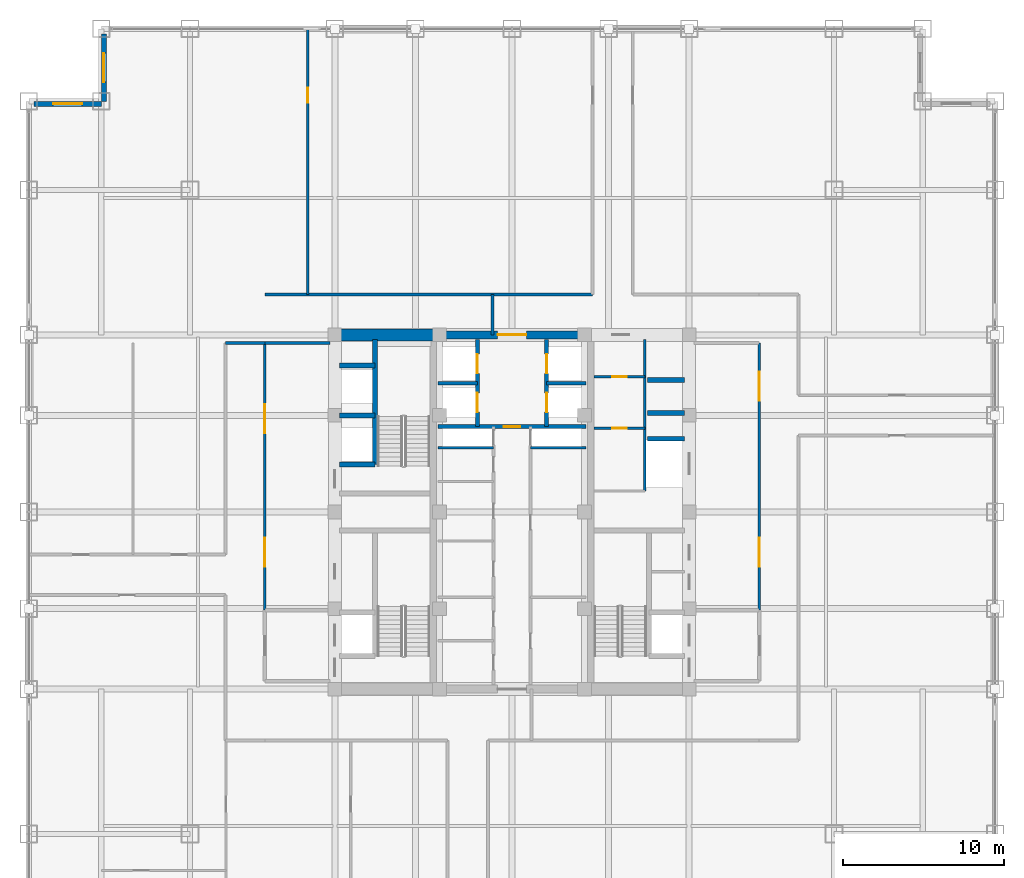
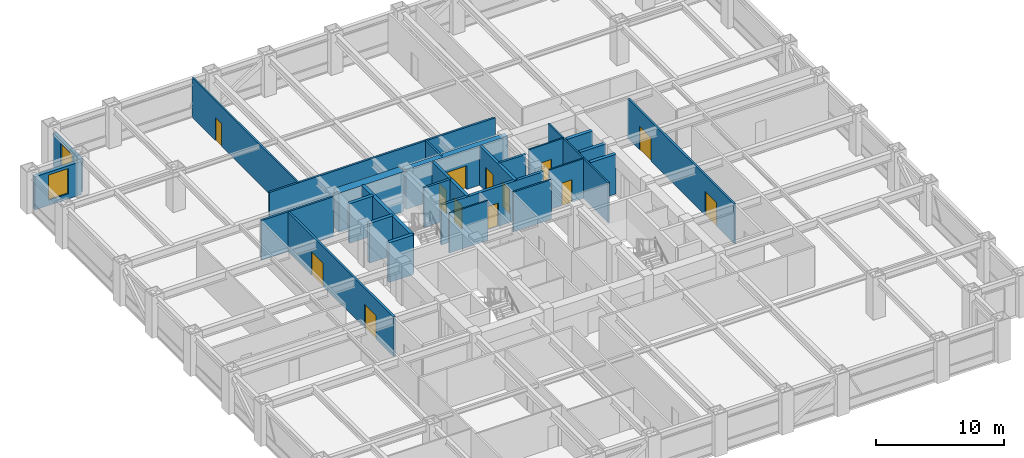
# One storey, part 22 of 24: 28 walls, 13 doors, 2 windows, 15 openings.
"""IFC4 building model written with IfcOpenShell, lengths in metres."""

from ifc_helpers import new_model, si_unit, direction, frame, frame_2d, origin, place, context, subcontext, project, spatial, rectangle, extrude, source, transform, mapped, material, layer, layer_set, type_object, element, fill, save


model = new_model("IFC4")

# Units and contexts
model_context = context("Model", 3, precision=1e-05, world=origin(), true_north=direction((0.0, 1.0)))
body_context = subcontext(model_context, "Body", "Model", "MODEL_VIEW")
ifc_project = project(units=[si_unit("LENGTHUNIT", "METRE"), si_unit("AREAUNIT", "SQUARE_METRE"), si_unit("VOLUMEUNIT", "CUBIC_METRE"), si_unit("PLANEANGLEUNIT", "RADIAN"), si_unit("MASSUNIT", "GRAM", prefix="KILO")], contexts=[model_context])

# Site, building, storey
site_placement = place(None, origin())
site = spatial("IfcSite", under=ifc_project, at=site_placement, CompositionType="ELEMENT")
building_placement = place(site_placement, origin())
building = spatial("IfcBuilding", under=site, at=building_placement, Name="Khorayat Bourse Tower", CompositionType="ELEMENT")
storey_placement = place(building_placement, frame((0.0, 0.0, 175.10009765625)))
storey = spatial("IfcBuildingStorey", under=building, at=storey_placement, Name="L40", CompositionType="ELEMENT", Elevation=175.10009765625)

# Wall
ifc_material_1 = material(Name="Concrete C72/90", Category="concrete")
ifc_layer_1 = layer(ifc_material_1, 0.75)
ifc_layer_set_1 = layer_set([ifc_layer_1], Name="Concrete C72/90")
wall_type_1 = type_object("IfcWallType", Name="WAL-CORE-750", PredefinedType="SHEAR", material=ifc_layer_set_1)
shared_shape_1 = source(origin(), body_context, "Body", "SweptSolid", [
    extrude(rectangle(XDim=5.849853515625, YDim=0.75, at=frame_2d((2.9248046875, 0.0))), origin(), (0.0, 0.0, 1.0), 3.77978515625),
])
wall_1_placement = place(storey_placement, frame((-10.699951171875, 11.0, 0.0), z_axis=(0.0, 0.0, 1.0), x_axis=(1.0, 0.0, 0.0)))
element("IfcWall", 1, at=wall_1_placement, inside=storey, type_object=wall_type_1, Name="L40 Core Shear Wall PIER-WN", PredefinedType="SHEAR", context=body_context, shape_type="MappedRepresentation", body=[
    mapped(shared_shape_1, transform((0.0, 0.0, 0.0), scale=1.0)),
])

# Wall, opening, door
ifc_material_2 = material(Name="Concrete C52/65", Category="concrete")
ifc_layer_2 = layer(ifc_material_2, 0.5)
ifc_layer_set_2 = layer_set([ifc_layer_2], Name="Concrete C52/65")
wall_type_2 = type_object("IfcWallType", Name="WAL-CORE-500", PredefinedType="SHEAR", material=ifc_layer_set_2)
shared_shape_2 = source(origin(), body_context, "Body", "SweptSolid", [
    extrude(rectangle(XDim=9.2001953125, YDim=0.5, at=frame_2d((4.60009765625, 0.0))), origin(), (0.0, 0.0, 1.0), 3.77978515625),
])
wall_2_placement = place(storey_placement, frame((-4.60009765625, 11.0, 0.0), z_axis=(0.0, 0.0, 1.0), x_axis=(1.0, 0.0, 0.0)))
wall_2 = element("IfcWall", 2, at=wall_2_placement, inside=storey, type_object=wall_type_2, Name="L40 Core Shear Wall CORE-N", PredefinedType="SHEAR", context=body_context, shape_type="MappedRepresentation", body=[
    mapped(shared_shape_2, transform((0.0, 0.0, 0.0), scale=1.0)),
])
shared_shape_3 = source(origin(), body_context, "Body", "SweptSolid", [
    extrude(rectangle(XDim=1.800048828125, YDim=2.25, at=frame_2d((0.89990234375, 1.125))), frame((0.0, 0.260009765625, 0.0), z_axis=(0.0, -1.0, 0.0), x_axis=(1.0, 0.0, 0.0)), (0.0, 0.0, 1.0), 0.52001953125),
])
opening_1_placement = place(wall_2_placement, frame((3.699951171875, 0.0, 0.0)))
opening_1 = element("IfcOpeningElement", 3, at=opening_1_placement, cuts=wall_2, Name="Opening DI-03", PredefinedType="OPENING", context=body_context, shape_type="MappedRepresentation", body=[
    mapped(shared_shape_3, transform((0.0, 0.0, 0.0), scale=1.0)),
])
ifc_material_3 = material(Name="Fire-rated hardwood vision-panel double leaf", Category="wood")
door_type_1 = type_object("IfcDoorType", Name="DR-INT-CORR-1800", OperationType="NOTDEFINED", PredefinedType="DOOR", material=ifc_material_3)
shared_shape_4 = source(origin(), body_context, "Body", "SweptSolid", [
    extrude(rectangle(XDim=1.800048828125, YDim=2.25, at=frame_2d((0.89990234375, 1.125))), frame((0.0, 0.02490234375, 0.0), z_axis=(0.0, -1.0, 0.0), x_axis=(1.0, 0.0, 0.0)), (0.0, 0.0, 1.0), 0.050048828125),
])
door_1_placement = place(opening_1_placement, origin())
door_1 = element("IfcDoor", 4, at=door_1_placement, inside=storey, type_object=door_type_1, Name="L40 Mid-Rise Lift Lobby Door", OperationType="SINGLE_SWING_RIGHT", OverallHeight=2.25, OverallWidth=1.800048828125, PredefinedType="DOOR", context=body_context, shape_type="MappedRepresentation", body=[
    mapped(shared_shape_4, transform((0.0, 0.0, 0.0), scale=1.0)),
])
fill(opening_1, door_1)

# Wall, opening, window
ifc_material_4 = material(Name="Precast concrete C45/55", Category="concrete")
ifc_layer_3 = layer(ifc_material_4, 0.320068359375)
ifc_layer_set_3 = layer_set([ifc_layer_3], Name="Precast concrete C45/55")
wall_type_3 = type_object("IfcWallType", Name="WAL-EXT-STONE-320", PredefinedType="STANDARD", material=ifc_layer_set_3)
shared_shape_5 = source(origin(), body_context, "Body", "SweptSolid", [
    extrude(rectangle(XDim=4.179931640625, YDim=0.320068359375, at=frame_2d((2.08984375, 0.0))), origin(), (0.0, 0.0, 1.0), 3.163818359375),
])
wall_3_placement = place(storey_placement, frame((-25.340087890625, 25.5, 0.0), z_axis=(0.0, 0.0, 1.0), x_axis=(0.0, 1.0, 0.0)))
wall_3 = element("IfcWall", 5, at=wall_3_placement, inside=storey, type_object=wall_type_3, Name="L40 Re-Entrant Notch Limestone Wall NW-V", PredefinedType="STANDARD", context=body_context, shape_type="MappedRepresentation", body=[
    mapped(shared_shape_5, transform((0.0, 0.0, 0.0), scale=1.0)),
])
shared_shape_6 = source(origin(), body_context, "Body", "SweptSolid", [
    extrude(rectangle(XDim=1.800048828125, YDim=2.39990234375, at=frame_2d((0.89990234375, 1.199951171875))), frame((0.0, 0.169921875, 0.0), z_axis=(0.0, -1.0, 0.0), x_axis=(1.0, 0.0, 0.0)), (0.0, 0.0, 1.0), 0.340087890625),
])
opening_2_placement = place(wall_3_placement, frame((1.18994140625, 0.0, 0.5)))
opening_2 = element("IfcOpeningElement", 6, at=opening_2_placement, cuts=wall_3, Name="Opening WN-04", PredefinedType="OPENING", context=body_context, shape_type="MappedRepresentation", body=[
    mapped(shared_shape_6, transform((0.0, 0.0, 0.0), scale=1.0)),
])
ifc_material_5 = material(Name="Low-E acoustic laminated double glazing", Category="glass")
window_type = type_object("IfcWindowType", Name="WIN-NOTCH-1800x2400", PartitioningType="SINGLE_PANEL", PredefinedType="WINDOW", material=ifc_material_5)
shared_shape_7 = source(origin(), body_context, "Body", "SweptSolid", [
    extrude(rectangle(XDim=1.800048828125, YDim=2.39990234375, at=frame_2d((0.89990234375, 1.199951171875))), frame((0.0, 0.030029296875, 0.0), z_axis=(0.0, -1.0, 0.0), x_axis=(1.0, 0.0, 0.0)), (0.0, 0.0, 1.0), 0.06005859375),
])
window_1_placement = place(opening_2_placement, origin())
window_1 = element("IfcWindow", 7, at=window_1_placement, inside=storey, type_object=window_type, Name="L40 Facade Window 1", OverallHeight=2.39990234375, OverallWidth=1.800048828125, PartitioningType="SINGLE_PANEL", PredefinedType="WINDOW", context=body_context, shape_type="MappedRepresentation", body=[
    mapped(shared_shape_7, transform((0.0, 0.0, 0.0), scale=1.0)),
])
fill(opening_2, window_1)

wall_4_placement = place(storey_placement, frame((-25.5, 25.340087890625, 0.0), z_axis=(0.0, 0.0, 1.0), x_axis=(-1.0, 0.0, 0.0)))
wall_4 = element("IfcWall", 8, at=wall_4_placement, inside=storey, type_object=wall_type_3, Name="L40 Re-Entrant Notch Limestone Wall NW-H", PredefinedType="STANDARD", context=body_context, shape_type="MappedRepresentation", body=[
    mapped(shared_shape_5, transform((0.0, 0.0, 0.0), scale=1.0)),
])
opening_3_placement = place(wall_4_placement, frame((1.18994140625, 0.0, 0.5)))
opening_3 = element("IfcOpeningElement", 9, at=opening_3_placement, cuts=wall_4, Name="Opening WN-04", PredefinedType="OPENING", context=body_context, shape_type="MappedRepresentation", body=[
    mapped(shared_shape_6, transform((0.0, 0.0, 0.0), scale=1.0)),
])
window_2_placement = place(opening_3_placement, origin())
window_2 = element("IfcWindow", 10, at=window_2_placement, inside=storey, type_object=window_type, Name="L40 Facade Window 1", OverallHeight=2.39990234375, OverallWidth=1.800048828125, PartitioningType="SINGLE_PANEL", PredefinedType="WINDOW", context=body_context, shape_type="MappedRepresentation", body=[
    mapped(shared_shape_7, transform((0.0, 0.0, 0.0), scale=1.0)),
])
fill(opening_3, window_2)

# Walls
ifc_material_6 = material(Name="Concrete C50/60", Category="concrete")
ifc_layer_4 = layer(ifc_material_6, 0.300048828125)
ifc_layer_set_4 = layer_set([ifc_layer_4], Name="Concrete C50/60")
wall_type_4 = type_object("IfcWallType", Name="WAL-SHAFT-300", PredefinedType="SHEAR", material=ifc_layer_set_4)
shared_shape_8 = source(origin(), body_context, "Body", "SweptSolid", [
    extrude(rectangle(XDim=2.199951171875, YDim=0.300048828125, at=frame_2d((1.10009765625, 0.0))), origin(), (0.0, 0.0, 1.0), 3.77978515625),
])
for number, where, z_axis, x_axis, name in (
    (11, (-10.699951171875, 2.949951171875, 0.0), (0.0, 0.0, 1.0), (1.0, 0.0, 0.0), "L40 Partition WAL-L40-WPIER-H1S"),
    (12, (-10.699951171875, 6.0, 0.0), (0.0, 0.0, 1.0), (1.0, 0.0, 0.0), "L40 Partition WAL-L40-WPIER-H12"),
    (13, (-10.699951171875, 9.10009765625, 0.0), (0.0, 0.0, 1.0), (1.0, 0.0, 0.0), "L40 Partition WAL-L40-WPIER-H2N"),
):
    element("IfcWall", number, at=place(storey_placement, frame(where, z_axis=z_axis, x_axis=x_axis)), inside=storey, type_object=wall_type_4, Name=name, PredefinedType="SHEAR", context=body_context, shape_type="MappedRepresentation", body=[
        mapped(shared_shape_8, transform((0.0, 0.0, 0.0), scale=1.0)),
    ])
shared_shape_9 = source(origin(), body_context, "Body", "SweptSolid", [
    extrude(rectangle(XDim=7.75, YDim=0.300048828125, at=frame_2d((3.875, 0.0))), origin(), (0.0, 0.0, 1.0), 3.77978515625),
])
wall_5_placement = place(storey_placement, frame((-8.5, 2.949951171875, 0.0), z_axis=(0.0, 0.0, 1.0), x_axis=(0.0, 1.0, 0.0)))
element("IfcWall", 14, at=wall_5_placement, inside=storey, type_object=wall_type_4, Name="L40 Partition WAL-L40-WPIER-ST2S", PredefinedType="SHEAR", context=body_context, shape_type="MappedRepresentation", body=[
    mapped(shared_shape_9, transform((0.0, 0.0, 0.0), scale=1.0)),
])
shared_shape_10 = source(origin(), body_context, "Body", "SweptSolid", [
    extrude(rectangle(XDim=2.300048828125, YDim=0.300048828125, at=frame_2d((1.14990234375, 0.0))), origin(), (0.0, 0.0, 1.0), 3.77978515625),
])
for number, where, z_axis, x_axis, name in (
    (15, (8.39990234375, 4.550048828125, 0.0), (0.0, 0.0, 1.0), (1.0, 0.0, 0.0), "L40 Partition WAL-L40-EPIER-SVLN"),
    (16, (8.39990234375, 6.14990234375, 0.0), (0.0, 0.0, 1.0), (1.0, 0.0, 0.0), "L40 Partition WAL-L40-EPIER-H3S"),
    (17, (8.39990234375, 8.199951171875, 0.0), (0.0, 0.0, 1.0), (1.0, 0.0, 0.0), "L40 Partition WAL-L40-EPIER-H34"),
):
    element("IfcWall", number, at=place(storey_placement, frame(where, z_axis=z_axis, x_axis=x_axis)), inside=storey, type_object=wall_type_4, Name=name, PredefinedType="SHEAR", context=body_context, shape_type="MappedRepresentation", body=[
        mapped(shared_shape_10, transform((0.0, 0.0, 0.0), scale=1.0)),
    ])
ifc_material_7 = material(Name="Moisture-resistant masonry partition", Category="masonry")
ifc_layer_5 = layer(ifc_material_7, 0.139892578125)
ifc_layer_set_5 = layer_set([ifc_layer_5], Name="Moisture-resistant masonry partition")
wall_type_5 = type_object("IfcWallType", Name="WAL-PART-WET-140", PredefinedType="PARTITIONING", material=ifc_layer_set_5)
shared_shape_11 = source(origin(), body_context, "Body", "SweptSolid", [
    extrude(rectangle(XDim=9.39990234375, YDim=0.139892578125, at=frame_2d((4.699951171875, 0.0))), origin(), (0.0, 0.0, 1.0), 3.77978515625),
])
wall_6_placement = place(storey_placement, frame((8.25, 1.300048828125, 0.0), z_axis=(0.0, 0.0, 1.0), x_axis=(0.0, 1.0, 0.0)))
element("IfcWall", 18, at=wall_6_placement, inside=storey, type_object=wall_type_5, Name="L40 Partition WAL-L40-ECORE-E", PredefinedType="PARTITIONING", context=body_context, shape_type="MappedRepresentation", body=[
    mapped(shared_shape_11, transform((0.0, 0.0, 0.0), scale=1.0)),
])

# Wall, opening, door
shared_shape_12 = source(origin(), body_context, "Body", "SweptSolid", [
    extrude(rectangle(XDim=3.14990234375, YDim=0.139892578125, at=frame_2d((1.574951171875, 0.0))), origin(), (0.0, 0.0, 1.0), 3.77978515625),
])
wall_7_placement = place(storey_placement, frame((5.10009765625, 8.39990234375, 0.0), z_axis=(0.0, 0.0, 1.0), x_axis=(1.0, 0.0, 0.0)))
wall_7 = element("IfcWall", 19, at=wall_7_placement, inside=storey, type_object=wall_type_5, Name="L40 Partition WAL-L40-ECW-TOP", PredefinedType="PARTITIONING", context=body_context, shape_type="MappedRepresentation", body=[
    mapped(shared_shape_12, transform((0.0, 0.0, 0.0), scale=1.0)),
])
shared_shape_13 = source(origin(), body_context, "Body", "SweptSolid", [
    extrude(rectangle(XDim=0.89990234375, YDim=2.14990234375, at=frame_2d((0.449951171875, 1.074951171875))), frame((0.0, 0.079833984375, 0.0), z_axis=(0.0, -1.0, 0.0), x_axis=(1.0, 0.0, 0.0)), (0.0, 0.0, 1.0), 0.159912109375),
])
opening_4_placement = place(wall_7_placement, frame((1.1298828125, 0.0, 0.0)))
opening_4 = element("IfcOpeningElement", 20, at=opening_4_placement, cuts=wall_7, Name="Opening DI-06", PredefinedType="OPENING", context=body_context, shape_type="MappedRepresentation", body=[
    mapped(shared_shape_13, transform((0.0, 0.0, 0.0), scale=1.0)),
])
ifc_material_8 = material(Name="Moisture-resistant laminate washroom door")
door_type_2 = type_object("IfcDoorType", Name="DR-INT-WC-900", OperationType="NOTDEFINED", PredefinedType="DOOR", material=ifc_material_8)
shared_shape_14 = source(origin(), body_context, "Body", "SweptSolid", [
    extrude(rectangle(XDim=0.89990234375, YDim=2.14990234375, at=frame_2d((0.449951171875, 1.074951171875))), frame((0.0, 0.02490234375, 0.0), z_axis=(0.0, -1.0, 0.0), x_axis=(1.0, 0.0, 0.0)), (0.0, 0.0, 1.0), 0.050048828125),
])
door_2_placement = place(opening_4_placement, origin())
door_2 = element("IfcDoor", 21, at=door_2_placement, inside=storey, type_object=door_type_2, Name="L40 Accessible WC Door", OperationType="SINGLE_SWING_LEFT", OverallHeight=2.14990234375, OverallWidth=0.89990234375, PredefinedType="DOOR", context=body_context, shape_type="MappedRepresentation", body=[
    mapped(shared_shape_14, transform((0.0, 0.0, 0.0), scale=1.0)),
])
fill(opening_4, door_2)

wall_8_placement = place(storey_placement, frame((5.10009765625, 5.199951171875, 0.0), z_axis=(0.0, 0.0, 1.0), x_axis=(1.0, 0.0, 0.0)))
wall_8 = element("IfcWall", 22, at=wall_8_placement, inside=storey, type_object=wall_type_5, Name="L40 Partition WAL-L40-ECW-HZ", PredefinedType="PARTITIONING", context=body_context, shape_type="MappedRepresentation", body=[
    mapped(shared_shape_12, transform((0.0, 0.0, 0.0), scale=1.0)),
])
opening_5_placement = place(wall_8_placement, frame((1.1298828125, 0.0, 0.0)))
opening_5 = element("IfcOpeningElement", 23, at=opening_5_placement, cuts=wall_8, Name="Opening DI-06", PredefinedType="OPENING", context=body_context, shape_type="MappedRepresentation", body=[
    mapped(shared_shape_13, transform((0.0, 0.0, 0.0), scale=1.0)),
])
door_3_placement = place(opening_5_placement, origin())
door_3 = element("IfcDoor", 24, at=door_3_placement, inside=storey, type_object=door_type_2, Name="L40 Shared Washroom Door", OperationType="SINGLE_SWING_RIGHT", OverallHeight=2.14990234375, OverallWidth=0.89990234375, PredefinedType="DOOR", context=body_context, shape_type="MappedRepresentation", body=[
    mapped(shared_shape_14, transform((0.0, 0.0, 0.0), scale=1.0)),
])
fill(opening_5, door_3)

# Wall
ifc_material_9 = material(Name="Gypsum plasterboard acoustic stud wall")
ifc_layer_6 = layer(ifc_material_9, 0.179931640625)
ifc_layer_set_6 = layer_set([ifc_layer_6], Name="Gypsum plasterboard acoustic stud wall")
wall_type_6 = type_object("IfcWallType", Name="WAL-PART-CORR-180", PredefinedType="PARTITIONING", material=ifc_layer_set_6)
shared_shape_15 = source(origin(), body_context, "Body", "SweptSolid", [
    extrude(rectangle(XDim=4.050048828125, YDim=0.179931640625, at=frame_2d((2.02490234375, 0.0))), origin(), (0.0, 0.0, 1.0), 3.77978515625),
])
wall_9_placement = place(storey_placement, frame((-15.35009765625, 10.5, 0.0), z_axis=(0.0, 0.0, 1.0), x_axis=(1.0, 0.0, 0.0)))
element("IfcWall", 25, at=wall_9_placement, inside=storey, type_object=wall_type_6, Name="L40 Partition WAL-L40-WLOB-N", PredefinedType="PARTITIONING", context=body_context, shape_type="MappedRepresentation", body=[
    mapped(shared_shape_15, transform((0.0, 0.0, 0.0), scale=1.0)),
])

# Wall, openings, doors
shared_shape_16 = source(origin(), body_context, "Body", "SweptSolid", [
    extrude(rectangle(XDim=16.60009765625, YDim=0.179931640625, at=frame_2d((8.300048828125, 0.0))), origin(), (0.0, 0.0, 1.0), 3.77978515625),
])
wall_10_placement = place(storey_placement, frame((-15.35009765625, -6.10009765625, 0.0), z_axis=(0.0, 0.0, 1.0), x_axis=(0.0, 1.0, 0.0)))
wall_10 = element("IfcWall", 26, at=wall_10_placement, inside=storey, type_object=wall_type_6, Name="L40 Partition WAL-L40-WLOB-W", PredefinedType="PARTITIONING", context=body_context, shape_type="MappedRepresentation", body=[
    mapped(shared_shape_16, transform((0.0, 0.0, 0.0), scale=1.0)),
])
shared_shape_17 = source(origin(), body_context, "Body", "SweptSolid", [
    extrude(rectangle(XDim=1.800048828125, YDim=2.25, at=frame_2d((0.89990234375, 1.125))), frame((0.0, 0.099853515625, 0.0), z_axis=(0.0, -1.0, 0.0), x_axis=(1.0, 0.0, 0.0)), (0.0, 0.0, 1.0), 0.199951171875),
])
opening_6_placement = place(wall_10_placement, frame((2.699951171875, 0.0, 0.0)))
opening_6 = element("IfcOpeningElement", 27, at=opening_6_placement, cuts=wall_10, Name="Opening DI-03", PredefinedType="OPENING", context=body_context, shape_type="MappedRepresentation", body=[
    mapped(shared_shape_17, transform((0.0, 0.0, 0.0), scale=1.0)),
])
opening_7_placement = place(wall_10_placement, frame((11.0, 0.0, 0.0)))
opening_7 = element("IfcOpeningElement", 28, at=opening_7_placement, cuts=wall_10, Name="Opening DI-03", PredefinedType="OPENING", context=body_context, shape_type="MappedRepresentation", body=[
    mapped(shared_shape_17, transform((0.0, 0.0, 0.0), scale=1.0)),
])
door_4_placement = place(opening_6_placement, origin())
door_4 = element("IfcDoor", 29, at=door_4_placement, inside=storey, type_object=door_type_1, Name="L40 West Core Lobby South Door", OperationType="SINGLE_SWING_LEFT", OverallHeight=2.25, OverallWidth=1.800048828125, PredefinedType="DOOR", context=body_context, shape_type="MappedRepresentation", body=[
    mapped(shared_shape_4, transform((0.0, 0.0, 0.0), scale=1.0)),
])
fill(opening_6, door_4)
door_5_placement = place(opening_7_placement, origin())
door_5 = element("IfcDoor", 30, at=door_5_placement, inside=storey, type_object=door_type_1, Name="L40 West Core Lobby North Door", OperationType="SINGLE_SWING_RIGHT", OverallHeight=2.25, OverallWidth=1.800048828125, PredefinedType="DOOR", context=body_context, shape_type="MappedRepresentation", body=[
    mapped(shared_shape_4, transform((0.0, 0.0, 0.0), scale=1.0)),
])
fill(opening_7, door_5)

wall_11_placement = place(storey_placement, frame((15.35009765625, -6.10009765625, 0.0), z_axis=(0.0, 0.0, 1.0), x_axis=(0.0, 1.0, 0.0)))
wall_11 = element("IfcWall", 31, at=wall_11_placement, inside=storey, type_object=wall_type_6, Name="L40 Partition WAL-L40-ELOB-E", PredefinedType="PARTITIONING", context=body_context, shape_type="MappedRepresentation", body=[
    mapped(shared_shape_16, transform((0.0, 0.0, 0.0), scale=1.0)),
])
opening_8_placement = place(wall_11_placement, frame((2.699951171875, 0.0, 0.0)))
opening_8 = element("IfcOpeningElement", 32, at=opening_8_placement, cuts=wall_11, Name="Opening DI-03", PredefinedType="OPENING", context=body_context, shape_type="MappedRepresentation", body=[
    mapped(shared_shape_17, transform((0.0, 0.0, 0.0), scale=1.0)),
])
opening_9_placement = place(wall_11_placement, frame((13.0, 0.0, 0.0)))
opening_9 = element("IfcOpeningElement", 33, at=opening_9_placement, cuts=wall_11, Name="Opening DI-03", PredefinedType="OPENING", context=body_context, shape_type="MappedRepresentation", body=[
    mapped(shared_shape_17, transform((0.0, 0.0, 0.0), scale=1.0)),
])
door_6_placement = place(opening_8_placement, origin())
door_6 = element("IfcDoor", 34, at=door_6_placement, inside=storey, type_object=door_type_1, Name="L40 East Core Lobby South Door", OperationType="SINGLE_SWING_RIGHT", OverallHeight=2.25, OverallWidth=1.800048828125, PredefinedType="DOOR", context=body_context, shape_type="MappedRepresentation", body=[
    mapped(shared_shape_4, transform((0.0, 0.0, 0.0), scale=1.0)),
])
fill(opening_8, door_6)
door_7_placement = place(opening_9_placement, origin())
door_7 = element("IfcDoor", 35, at=door_7_placement, inside=storey, type_object=door_type_1, Name="L40 East Core Lobby North Door", OperationType="SINGLE_SWING_LEFT", OverallHeight=2.25, OverallWidth=1.800048828125, PredefinedType="DOOR", context=body_context, shape_type="MappedRepresentation", body=[
    mapped(shared_shape_4, transform((0.0, 0.0, 0.0), scale=1.0)),
])
fill(opening_9, door_7)

# Walls
ifc_material_10 = material(Name="Gypsum plasterboard twin-frame partition")
ifc_layer_7 = layer(ifc_material_10, 0.14990234375)
ifc_layer_set_7 = layer_set([ifc_layer_7], Name="Gypsum plasterboard twin-frame partition")
wall_type_7 = type_object("IfcWallType", Name="WAL-PART-SUITE-150", PredefinedType="PARTITIONING", material=ifc_layer_set_7)
shared_shape_18 = source(origin(), body_context, "Body", "SweptSolid", [
    extrude(rectangle(XDim=3.4501953125, YDim=0.14990234375, at=frame_2d((1.72509765625, 0.0))), origin(), (0.0, 0.0, 1.0), 3.77978515625),
])
for number, where, z_axis, x_axis, name in (
    (36, (-4.60009765625, 4.0, 0.0), (0.0, 0.0, 1.0), (1.0, 0.0, 0.0), "L40 Partition WAL-L40-CRSW-S"),
    (37, (1.14990234375, 4.0, 0.0), (0.0, 0.0, 1.0), (1.0, 0.0, 0.0), "L40 Partition WAL-L40-CRSE-S"),
):
    element("IfcWall", number, at=place(storey_placement, frame(where, z_axis=z_axis, x_axis=x_axis)), inside=storey, type_object=wall_type_7, Name=name, PredefinedType="PARTITIONING", context=body_context, shape_type="MappedRepresentation", body=[
        mapped(shared_shape_18, transform((0.0, 0.0, 0.0), scale=1.0)),
    ])

# Wall, openings, doors
shared_shape_19 = source(origin(), body_context, "Body", "SweptSolid", [
    extrude(rectangle(XDim=5.39990234375, YDim=0.25, at=frame_2d((2.699951171875, 0.0))), origin(), (0.0, 0.0, 1.0), 3.77978515625),
])
wall_12_placement = place(storey_placement, frame((-2.14990234375, 5.300048828125, 0.0), z_axis=(0.0, 0.0, 1.0), x_axis=(0.0, 1.0, 0.0)))
wall_12 = element("IfcWall", 38, at=wall_12_placement, inside=storey, type_object=wall_type_4, Name="L40 Partition WAL-L40-B2-W", PredefinedType="SHEAR", context=body_context, shape_type="MappedRepresentation", body=[
    mapped(shared_shape_19, transform((0.0, 0.0, 0.0), scale=1.0)),
])
shared_shape_20 = source(origin(), body_context, "Body", "SweptSolid", [
    extrude(rectangle(XDim=1.199951171875, YDim=2.300048828125, at=frame_2d((0.60009765625, 1.14990234375))), frame((0.0, 0.135009765625, 0.0), z_axis=(0.0, -1.0, 0.0), x_axis=(1.0, 0.0, 0.0)), (0.0, 0.0, 1.0), 0.27001953125),
])
opening_10_placement = place(wall_12_placement, frame((3.300048828125, 0.0, 0.0)))
opening_10 = element("IfcOpeningElement", 39, at=opening_10_placement, cuts=wall_12, Name="Opening LD-01", PredefinedType="OPENING", context=body_context, shape_type="MappedRepresentation", body=[
    mapped(shared_shape_20, transform((0.0, 0.0, 0.0), scale=1.0)),
])
opening_11_placement = place(wall_12_placement, frame((0.89990234375, 0.0, 0.0)))
opening_11 = element("IfcOpeningElement", 40, at=opening_11_placement, cuts=wall_12, Name="Opening LD-01", PredefinedType="OPENING", context=body_context, shape_type="MappedRepresentation", body=[
    mapped(shared_shape_20, transform((0.0, 0.0, 0.0), scale=1.0)),
])
ifc_material_11 = material(Name="Brushed bronze stainless-steel sliding door", Category="steel")
door_type_3 = type_object("IfcDoorType", Name="DR-LIFT-PASS-1200", OperationType="NOTDEFINED", PredefinedType="DOOR", material=ifc_material_11)
shared_shape_21 = source(origin(), body_context, "Body", "SweptSolid", [
    extrude(rectangle(XDim=1.199951171875, YDim=2.300048828125, at=frame_2d((0.60009765625, 1.14990234375))), frame((0.0, 0.02490234375, 0.0), z_axis=(0.0, -1.0, 0.0), x_axis=(1.0, 0.0, 0.0)), (0.0, 0.0, 1.0), 0.050048828125),
])
door_8_placement = place(opening_10_placement, origin())
door_8 = element("IfcDoor", 41, at=door_8_placement, inside=storey, type_object=door_type_3, Name="L40 Lift PL-M1 Sliding Landing Door", OperationType="SLIDING_TO_LEFT", OverallHeight=2.300048828125, OverallWidth=1.199951171875, PredefinedType="DOOR", context=body_context, shape_type="MappedRepresentation", body=[
    mapped(shared_shape_21, transform((0.0, 0.0, 0.0), scale=1.0)),
])
fill(opening_10, door_8)
door_9_placement = place(opening_11_placement, origin())
door_9 = element("IfcDoor", 42, at=door_9_placement, inside=storey, type_object=door_type_3, Name="L40 Lift PL-M3 Sliding Landing Door", OperationType="SLIDING_TO_LEFT", OverallHeight=2.300048828125, OverallWidth=1.199951171875, PredefinedType="DOOR", context=body_context, shape_type="MappedRepresentation", body=[
    mapped(shared_shape_21, transform((0.0, 0.0, 0.0), scale=1.0)),
])
fill(opening_11, door_9)

wall_13_placement = place(storey_placement, frame((2.14990234375, 5.300048828125, 0.0), z_axis=(0.0, 0.0, 1.0), x_axis=(0.0, 1.0, 0.0)))
wall_13 = element("IfcWall", 43, at=wall_13_placement, inside=storey, type_object=wall_type_4, Name="L40 Partition WAL-L40-B2-E", PredefinedType="SHEAR", context=body_context, shape_type="MappedRepresentation", body=[
    mapped(shared_shape_19, transform((0.0, 0.0, 0.0), scale=1.0)),
])
opening_12_placement = place(wall_13_placement, frame((3.300048828125, 0.0, 0.0)))
opening_12 = element("IfcOpeningElement", 44, at=opening_12_placement, cuts=wall_13, Name="Opening LD-01", PredefinedType="OPENING", context=body_context, shape_type="MappedRepresentation", body=[
    mapped(shared_shape_20, transform((0.0, 0.0, 0.0), scale=1.0)),
])
opening_13_placement = place(wall_13_placement, frame((0.89990234375, 0.0, 0.0)))
opening_13 = element("IfcOpeningElement", 45, at=opening_13_placement, cuts=wall_13, Name="Opening LD-01", PredefinedType="OPENING", context=body_context, shape_type="MappedRepresentation", body=[
    mapped(shared_shape_20, transform((0.0, 0.0, 0.0), scale=1.0)),
])
door_10_placement = place(opening_12_placement, origin())
door_10 = element("IfcDoor", 46, at=door_10_placement, inside=storey, type_object=door_type_3, Name="L40 Lift PL-M2 Sliding Landing Door", OperationType="SLIDING_TO_LEFT", OverallHeight=2.300048828125, OverallWidth=1.199951171875, PredefinedType="DOOR", context=body_context, shape_type="MappedRepresentation", body=[
    mapped(shared_shape_21, transform((0.0, 0.0, 0.0), scale=1.0)),
])
fill(opening_12, door_10)
door_11_placement = place(opening_13_placement, origin())
door_11 = element("IfcDoor", 47, at=door_11_placement, inside=storey, type_object=door_type_3, Name="L40 Lift PL-M4 Sliding Landing Door", OperationType="SLIDING_TO_LEFT", OverallHeight=2.300048828125, OverallWidth=1.199951171875, PredefinedType="DOOR", context=body_context, shape_type="MappedRepresentation", body=[
    mapped(shared_shape_21, transform((0.0, 0.0, 0.0), scale=1.0)),
])
fill(opening_13, door_11)

# Walls
shared_shape_22 = source(origin(), body_context, "Body", "SweptSolid", [
    extrude(rectangle(XDim=2.4501953125, YDim=0.199951171875, at=frame_2d((1.22509765625, 0.0))), origin(), (0.0, 0.0, 1.0), 3.77978515625),
])
for number, where, z_axis, x_axis, name in (
    (48, (-4.60009765625, 8.0, 0.0), (0.0, 0.0, 1.0), (1.0, 0.0, 0.0), "L40 Partition WAL-L40-B2-MW"),
    (49, (2.14990234375, 8.0, 0.0), (0.0, 0.0, 1.0), (1.0, 0.0, 0.0), "L40 Partition WAL-L40-B2-ME"),
):
    element("IfcWall", number, at=place(storey_placement, frame(where, z_axis=z_axis, x_axis=x_axis)), inside=storey, type_object=wall_type_4, Name=name, PredefinedType="SHEAR", context=body_context, shape_type="MappedRepresentation", body=[
        mapped(shared_shape_22, transform((0.0, 0.0, 0.0), scale=1.0)),
    ])

# Wall, opening, door
shared_shape_23 = source(origin(), body_context, "Body", "SweptSolid", [
    extrude(rectangle(XDim=9.2001953125, YDim=0.25, at=frame_2d((4.60009765625, 0.0))), origin(), (0.0, 0.0, 1.0), 3.77978515625),
])
wall_14_placement = place(storey_placement, frame((-4.60009765625, 5.300048828125, 0.0), z_axis=(0.0, 0.0, 1.0), x_axis=(1.0, 0.0, 0.0)))
wall_14 = element("IfcWall", 50, at=wall_14_placement, inside=storey, type_object=wall_type_4, Name="L40 Partition WAL-L40-B2-S", PredefinedType="SHEAR", context=body_context, shape_type="MappedRepresentation", body=[
    mapped(shared_shape_23, transform((0.0, 0.0, 0.0), scale=1.0)),
])
shared_shape_24 = source(origin(), body_context, "Body", "SweptSolid", [
    extrude(rectangle(XDim=1.050048828125, YDim=2.199951171875, at=frame_2d((0.52490234375, 1.10009765625))), frame((0.0, 0.135009765625, 0.0), z_axis=(0.0, -1.0, 0.0), x_axis=(1.0, 0.0, 0.0)), (0.0, 0.0, 1.0), 0.27001953125),
])
opening_14_placement = place(wall_14_placement, frame((4.074951171875, 0.0, 0.0)))
opening_14 = element("IfcOpeningElement", 51, at=opening_14_placement, cuts=wall_14, Name="Opening DI-04", PredefinedType="OPENING", context=body_context, shape_type="MappedRepresentation", body=[
    mapped(shared_shape_24, transform((0.0, 0.0, 0.0), scale=1.0)),
])
ifc_material_12 = material(Name="Fire-rated oak veneer suite entrance door")
door_type_4 = type_object("IfcDoorType", Name="DR-INT-SUITE-1050", OperationType="NOTDEFINED", PredefinedType="DOOR", material=ifc_material_12)
shared_shape_25 = source(origin(), body_context, "Body", "SweptSolid", [
    extrude(rectangle(XDim=1.050048828125, YDim=2.199951171875, at=frame_2d((0.52490234375, 1.10009765625))), frame((0.0, 0.02490234375, 0.0), z_axis=(0.0, -1.0, 0.0), x_axis=(1.0, 0.0, 0.0)), (0.0, 0.0, 1.0), 0.050048828125),
])
door_12_placement = place(opening_14_placement, origin())
door_12 = element("IfcDoor", 52, at=door_12_placement, inside=storey, type_object=door_type_4, Name="L40 Core Spine North Door", OperationType="SINGLE_SWING_RIGHT", OverallHeight=2.199951171875, OverallWidth=1.050048828125, PredefinedType="DOOR", context=body_context, shape_type="MappedRepresentation", body=[
    mapped(shared_shape_25, transform((0.0, 0.0, 0.0), scale=1.0)),
])
fill(opening_14, door_12)

# Walls
shared_shape_26 = source(origin(), body_context, "Body", "SweptSolid", [
    extrude(rectangle(XDim=2.449951171875, YDim=0.179931640625, at=frame_2d((1.22509765625, 0.0))), origin(), (0.0, 0.0, 1.0), 3.77978515625),
])
wall_15_placement = place(storey_placement, frame((-17.800048828125, 10.5, 0.0), z_axis=(0.0, 0.0, 1.0), x_axis=(1.0, 0.0, 0.0)))
element("IfcWall", 53, at=wall_15_placement, inside=storey, type_object=wall_type_6, Name="L40 Partition WAL-L40-C2-WN", PredefinedType="PARTITIONING", context=body_context, shape_type="MappedRepresentation", body=[
    mapped(shared_shape_26, transform((0.0, 0.0, 0.0), scale=1.0)),
])
shared_shape_27 = source(origin(), body_context, "Body", "SweptSolid", [
    extrude(rectangle(XDim=2.5, YDim=0.179931640625, at=frame_2d((1.25, 0.0))), origin(), (0.0, 0.0, 1.0), 3.77978515625),
])
wall_16_placement = place(storey_placement, frame((-1.199951171875, 11.0, 0.0), z_axis=(0.0, 0.0, 1.0), x_axis=(0.0, 1.0, 0.0)))
element("IfcWall", 54, at=wall_16_placement, inside=storey, type_object=wall_type_6, Name="L40 Partition WAL-L40-C2-NCW", PredefinedType="PARTITIONING", context=body_context, shape_type="MappedRepresentation", body=[
    mapped(shared_shape_27, transform((0.0, 0.0, 0.0), scale=1.0)),
])

# Wall, opening, door
shared_shape_28 = source(origin(), body_context, "Body", "SweptSolid", [
    extrude(rectangle(XDim=16.5, YDim=0.14990234375, at=frame_2d((8.25, 0.0))), origin(), (0.0, 0.0, 1.0), 3.77978515625),
])
wall_17_placement = place(storey_placement, frame((-12.68994140625, 13.5, 0.0), z_axis=(0.0, 0.0, 1.0), x_axis=(0.0, 1.0, 0.0)))
wall_17 = element("IfcWall", 55, at=wall_17_placement, inside=storey, type_object=wall_type_7, Name="L40 Partition WAL-L40-QNWDV-1", PredefinedType="PARTITIONING", context=body_context, shape_type="MappedRepresentation", body=[
    mapped(shared_shape_28, transform((0.0, 0.0, 0.0), scale=1.0)),
])
shared_shape_29 = source(origin(), body_context, "Body", "SweptSolid", [
    extrude(rectangle(XDim=0.949951171875, YDim=2.14990234375, at=frame_2d((0.47509765625, 1.074951171875))), frame((0.0, 0.0849609375, 0.0), z_axis=(0.0, -1.0, 0.0), x_axis=(1.0, 0.0, 0.0)), (0.0, 0.0, 1.0), 0.169921875),
])
opening_15_placement = place(wall_17_placement, frame((11.89990234375, 0.0, 0.0)))
opening_15 = element("IfcOpeningElement", 56, at=opening_15_placement, cuts=wall_17, Name="Opening DI-05", PredefinedType="OPENING", context=body_context, shape_type="MappedRepresentation", body=[
    mapped(shared_shape_29, transform((0.0, 0.0, 0.0), scale=1.0)),
])
ifc_material_13 = material(Name="Acoustic oak veneer office door")
door_type_5 = type_object("IfcDoorType", Name="DR-INT-OFFICE-950", OperationType="NOTDEFINED", PredefinedType="DOOR", material=ifc_material_13)
shared_shape_30 = source(origin(), body_context, "Body", "SweptSolid", [
    extrude(rectangle(XDim=0.949951171875, YDim=2.14990234375, at=frame_2d((0.47509765625, 1.074951171875))), frame((0.0, 0.02490234375, 0.0), z_axis=(0.0, -1.0, 0.0), x_axis=(1.0, 0.0, 0.0)), (0.0, 0.0, 1.0), 0.050048828125),
])
door_13_placement = place(opening_15_placement, origin())
door_13 = element("IfcDoor", 57, at=door_13_placement, inside=storey, type_object=door_type_5, Name="L40 North-West Suite Link 1", OperationType="SINGLE_SWING_RIGHT", OverallHeight=2.14990234375, OverallWidth=0.949951171875, PredefinedType="DOOR", context=body_context, shape_type="MappedRepresentation", body=[
    mapped(shared_shape_30, transform((0.0, 0.0, 0.0), scale=1.0)),
])
fill(opening_15, door_13)

# Wall
shared_shape_31 = source(origin(), body_context, "Body", "SweptSolid", [
    extrude(rectangle(XDim=20.35009765625, YDim=0.179931640625, at=frame_2d((10.175048828125, 0.0))), origin(), (0.0, 0.0, 1.0), 3.77978515625),
])
wall_18_placement = place(storey_placement, frame((-15.35009765625, 13.5, 0.0), z_axis=(0.0, 0.0, 1.0), x_axis=(1.0, 0.0, 0.0)))
element("IfcWall", 58, at=wall_18_placement, inside=storey, type_object=wall_type_6, Name="L40 Partition WAL-L40-QNW-HC", PredefinedType="PARTITIONING", context=body_context, shape_type="MappedRepresentation", body=[
    mapped(shared_shape_31, transform((0.0, 0.0, 0.0), scale=1.0)),
])

save(model, "model.ifc")
